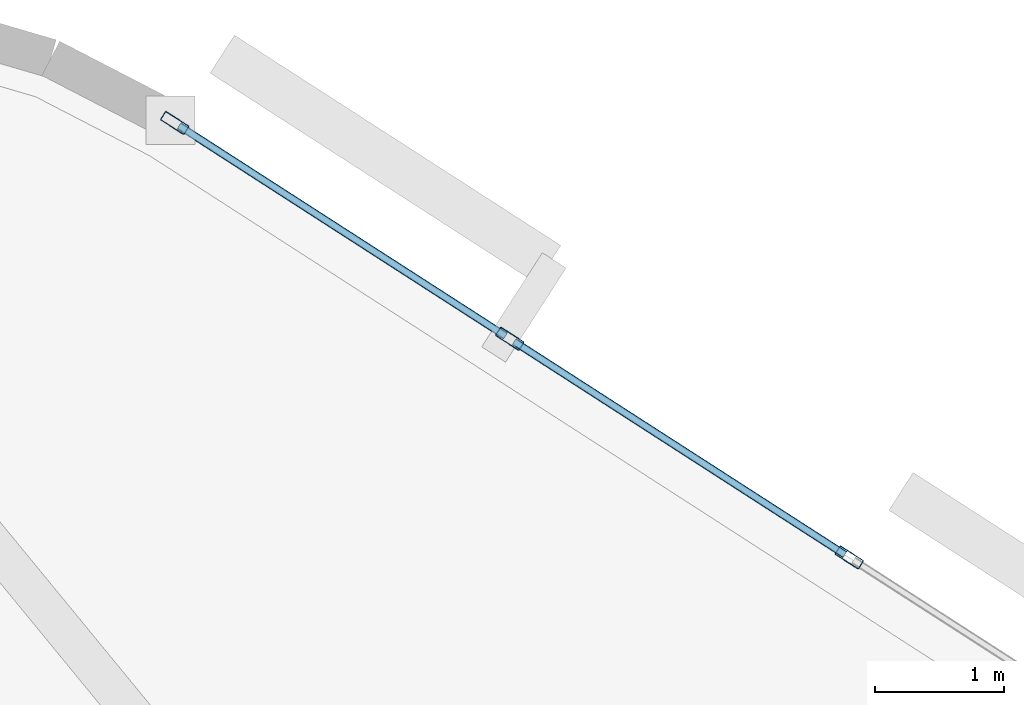
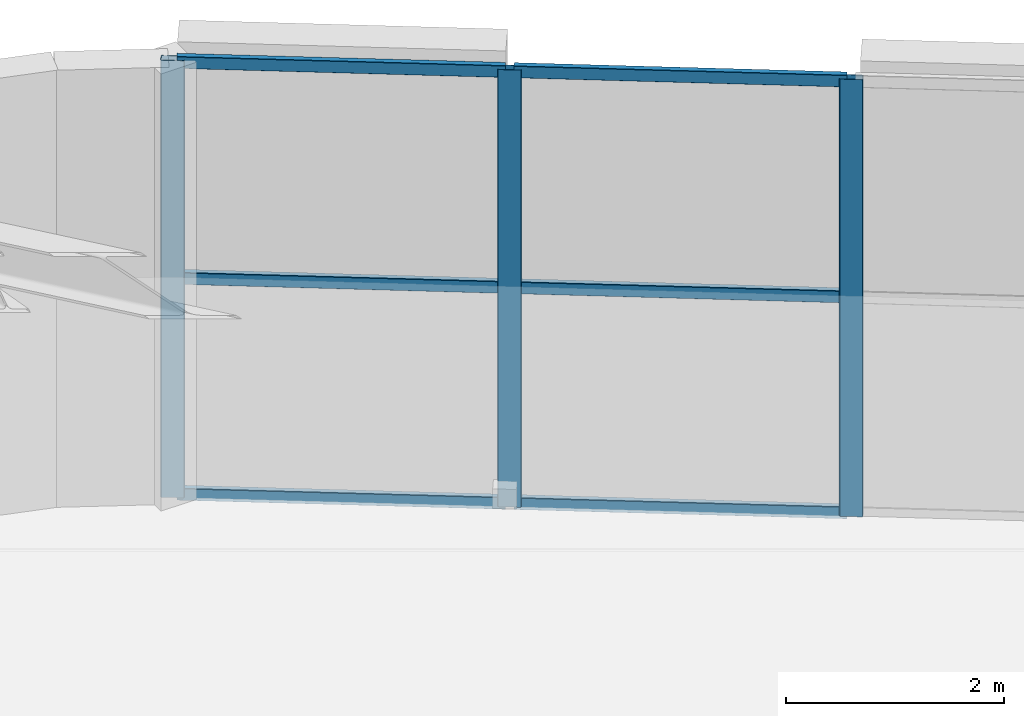
# One storey, part 6 of 12: 9 members, 1 element without a shape of its own.
"""IFC4 building model written with IfcOpenShell, lengths in metres."""

from ifc_helpers import new_model, si_unit, direction, frame, origin, origin_2d, place, context, subcontext, project, spatial, hollow_rectangle, extrude, material, layer, layer_set, material_profile, profile_set, type_object, element, aggregate, save


model = new_model("IFC4")

# Units and contexts
model_context = context("Model", 3, precision=1e-05, world=origin(), true_north=direction((0.0, 1.0)))
body_context = subcontext(model_context, "Body", "Model", "MODEL_VIEW")
ifc_project = project(units=[si_unit("LENGTHUNIT", "METRE"), si_unit("AREAUNIT", "SQUARE_METRE"), si_unit("VOLUMEUNIT", "CUBIC_METRE"), si_unit("PLANEANGLEUNIT", "RADIAN"), si_unit("MASSUNIT", "GRAM", prefix="KILO")], contexts=[model_context])

# Site, building, storey
site_placement = place(None, origin())
site = spatial("IfcSite", under=ifc_project, at=site_placement, CompositionType="ELEMENT")
building_placement = place(site_placement, origin())
building = spatial("IfcBuilding", under=site, at=building_placement, Name="An Khanh Terracotta Commons", CompositionType="ELEMENT")
storey_placement = place(building_placement, frame((0.0, 0.0, 138.699951171875)))
storey = spatial("IfcBuildingStorey", under=building, at=storey_placement, Name="L36", CompositionType="ELEMENT", Elevation=138.699951171875)

# Curtain wall, members
ifc_material = material(Name="Anodised Aluminium 6063-T6", Category="aluminium")
ifc_layer = layer(ifc_material, 0.239990234375, Name="Anodised Aluminium 6063-T6")
ifc_layer_set = layer_set([ifc_layer], Name="Anodised Aluminium 6063-T6")
curtain_wall_type = type_object("IfcCurtainWallType", Name="CW-SYS-04", PredefinedType="USERDEFINED", material=ifc_layer_set)
curtain_wall_placement = place(storey_placement, origin())
curtain_wall = element("IfcCurtainWall", 1, at=curtain_wall_placement, inside=storey, type_object=curtain_wall_type, Name="L36 CW-04 Unitised Curtain Wall CW-L36-16", ObjectType="UNITISED CURTAIN WALL", PredefinedType="USERDEFINED")
ifc_material_profile_1 = material_profile(ifc_material, hollow_rectangle(XDim=0.080078125, YDim=0.219970703125, WallThickness=0.0048828125, InnerFilletRadius=0.0048828125, OuterFilletRadius=0.010009765625, at=origin_2d()), Name="RHS220x80x5")
ifc_profile_set_1 = profile_set([ifc_material_profile_1], Name="Anodised Aluminium 6063-T6")
member_type_1 = type_object("IfcMemberType", Name="CWM-RHS220x80x5", PredefinedType="MULLION", material=ifc_profile_set_1)
member_1_placement = place(storey_placement, frame((57.838623046875, 37.52392578125, 0.0), z_axis=(0.0, 0.0, 1.0), x_axis=(-0.541497931062, -0.840702081986, 0.0)))
member_1 = element("IfcMember", 2, at=member_1_placement, type_object=member_type_1, Name="CW-04 mullion 2", PredefinedType="MULLION", context=body_context, shape_type="SweptSolid", body=[
    extrude(hollow_rectangle(XDim=0.080078125, YDim=0.219970703125, WallThickness=0.0048828125, InnerFilletRadius=0.0048828125, OuterFilletRadius=0.010009765625, at=origin_2d()), origin(), (0.0, 0.0, 1.0), 4.900146484375),
])
member_2_placement = place(storey_placement, frame((55.19921875, 39.22412109375, 0.0), z_axis=(0.0, 0.0, 1.0), x_axis=(-0.541497931062, -0.840702081986, 0.0)))
member_2 = element("IfcMember", 3, at=member_2_placement, type_object=member_type_1, Name="CW-04 mullion 3", PredefinedType="MULLION", context=body_context, shape_type="SweptSolid", body=[
    extrude(hollow_rectangle(XDim=0.080078125, YDim=0.219970703125, WallThickness=0.0048828125, InnerFilletRadius=0.0048828125, OuterFilletRadius=0.010009765625, at=origin_2d()), origin(), (0.0, 0.0, 1.0), 4.900146484375),
])
member_3_placement = place(storey_placement, frame((52.59375, 40.90234375, 0.0), z_axis=(0.0, 0.0, 1.0), x_axis=(-0.541497931062, -0.840702081986, 0.0)))
member_3 = element("IfcMember", 4, at=member_3_placement, type_object=member_type_1, Name="CW-04 mullion 4", PredefinedType="MULLION", context=body_context, shape_type="SweptSolid", body=[
    extrude(hollow_rectangle(XDim=0.080078125, YDim=0.219970703125, WallThickness=0.0048828125, InnerFilletRadius=0.0048828125, OuterFilletRadius=0.010009765625, at=origin_2d()), origin(), (0.0, 0.0, 1.0), 4.900146484375),
])
ifc_material_profile_2 = material_profile(ifc_material, hollow_rectangle(XDim=0.06005859375, YDim=0.135009765625, WallThickness=0.003662109375, InnerFilletRadius=0.003662109375, OuterFilletRadius=0.007080078125, at=origin_2d()), Name="RHS135x60x3.6")
ifc_profile_set_2 = profile_set([ifc_material_profile_2], Name="Anodised Aluminium 6063-T6")
member_type_2 = type_object("IfcMemberType", Name="CWT-RHS135x60x3.6", PredefinedType="USERDEFINED", material=ifc_profile_set_2)
member_4_placement = place(storey_placement, frame((57.804931640625, 37.545654296875, 0.030029296875), z_axis=(-0.840688097471, 0.541519642092, 0.0), x_axis=(-0.541519642092, -0.840688097471, 0.0)))
member_4 = element("IfcMember", 5, at=member_4_placement, type_object=member_type_2, Name="CW-04 transom 2.1", ObjectType="TRANSOM", PredefinedType="USERDEFINED", context=body_context, shape_type="SweptSolid", body=[
    extrude(hollow_rectangle(XDim=0.06005859375, YDim=0.135009765625, WallThickness=0.003662109375, InnerFilletRadius=0.003662109375, OuterFilletRadius=0.007080078125, at=origin_2d()), origin(), (0.0, 0.0, 1.0), 3.059326171875),
])
member_5_placement = place(storey_placement, frame((57.804931640625, 37.545654296875, 2.449951171875), z_axis=(-0.840688097471, 0.541519642092, 0.0), x_axis=(-0.541519642092, -0.840688097471, 0.0)))
member_5 = element("IfcMember", 6, at=member_5_placement, type_object=member_type_2, Name="CW-04 transom 2.2", ObjectType="TRANSOM", PredefinedType="USERDEFINED", context=body_context, shape_type="SweptSolid", body=[
    extrude(hollow_rectangle(XDim=0.06005859375, YDim=0.135009765625, WallThickness=0.003662109375, InnerFilletRadius=0.003662109375, OuterFilletRadius=0.007080078125, at=origin_2d()), origin(), (0.0, 0.0, 1.0), 3.059326171875),
])
member_6_placement = place(storey_placement, frame((57.804931640625, 37.545654296875, 4.8701171875), z_axis=(-0.840688097471, 0.541519642092, 0.0), x_axis=(-0.541519642092, -0.840688097471, 0.0)))
member_6 = element("IfcMember", 7, at=member_6_placement, type_object=member_type_2, Name="CW-04 transom 2.3", ObjectType="TRANSOM", PredefinedType="USERDEFINED", context=body_context, shape_type="SweptSolid", body=[
    extrude(hollow_rectangle(XDim=0.06005859375, YDim=0.135009765625, WallThickness=0.003662109375, InnerFilletRadius=0.003662109375, OuterFilletRadius=0.007080078125, at=origin_2d()), origin(), (0.0, 0.0, 1.0), 3.059326171875),
])
member_7_placement = place(storey_placement, frame((55.165771484375, 39.24560546875, 0.030029296875), z_axis=(-0.840715813702, 0.541476611306, 0.0), x_axis=(-0.541476611306, -0.840715813702, 0.0)))
member_7 = element("IfcMember", 8, at=member_7_placement, type_object=member_type_2, Name="CW-04 transom 3.1", ObjectType="TRANSOM", PredefinedType="USERDEFINED", context=body_context, shape_type="SweptSolid", body=[
    extrude(hollow_rectangle(XDim=0.06005859375, YDim=0.135009765625, WallThickness=0.003662109375, InnerFilletRadius=0.003662109375, OuterFilletRadius=0.007080078125, at=origin_2d()), origin(), (0.0, 0.0, 1.0), 3.01953125),
])
member_8_placement = place(storey_placement, frame((55.165771484375, 39.24560546875, 2.449951171875), z_axis=(-0.840715813702, 0.541476611306, 0.0), x_axis=(-0.541476611306, -0.840715813702, 0.0)))
member_8 = element("IfcMember", 9, at=member_8_placement, type_object=member_type_2, Name="CW-04 transom 3.2", ObjectType="TRANSOM", PredefinedType="USERDEFINED", context=body_context, shape_type="SweptSolid", body=[
    extrude(hollow_rectangle(XDim=0.06005859375, YDim=0.135009765625, WallThickness=0.003662109375, InnerFilletRadius=0.003662109375, OuterFilletRadius=0.007080078125, at=origin_2d()), origin(), (0.0, 0.0, 1.0), 3.01953125),
])
member_9_placement = place(storey_placement, frame((55.165771484375, 39.24560546875, 4.8701171875), z_axis=(-0.840715813702, 0.541476611306, 0.0), x_axis=(-0.541476611306, -0.840715813702, 0.0)))
member_9 = element("IfcMember", 10, at=member_9_placement, type_object=member_type_2, Name="CW-04 transom 3.3", ObjectType="TRANSOM", PredefinedType="USERDEFINED", context=body_context, shape_type="SweptSolid", body=[
    extrude(hollow_rectangle(XDim=0.06005859375, YDim=0.135009765625, WallThickness=0.003662109375, InnerFilletRadius=0.003662109375, OuterFilletRadius=0.007080078125, at=origin_2d()), origin(), (0.0, 0.0, 1.0), 3.01953125),
])
aggregate(curtain_wall, [member_1, member_2, member_3, member_4, member_5, member_6, member_7, member_8, member_9])

save(model, "model.ifc")
